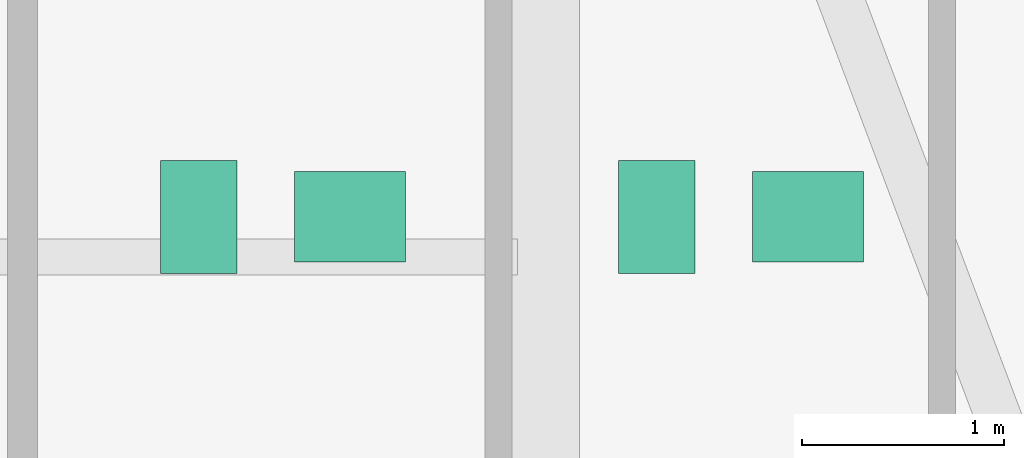
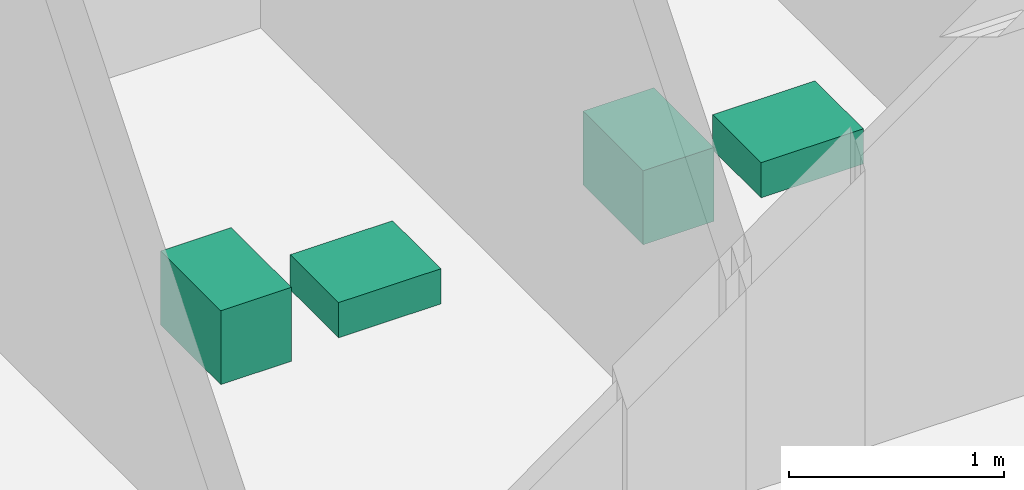
# One storey, part 24 of 24: 4 sanitary terminals.
"""IFC4 building model written with IfcOpenShell, lengths in metres."""

from ifc_helpers import new_model, si_unit, direction, frame, origin, origin_2d, place, context, subcontext, project, spatial, rectangle, extrude, material, type_object, element, save


model = new_model("IFC4")

# Units and contexts
model_context = context("Model", 3, precision=1e-05, world=origin(), true_north=direction((0.0, 1.0)))
body_context = subcontext(model_context, "Body", "Model", "MODEL_VIEW")
ifc_project = project(units=[si_unit("LENGTHUNIT", "METRE"), si_unit("AREAUNIT", "SQUARE_METRE"), si_unit("VOLUMEUNIT", "CUBIC_METRE"), si_unit("PLANEANGLEUNIT", "RADIAN"), si_unit("MASSUNIT", "GRAM", prefix="KILO")], contexts=[model_context])

# Site, building, storey
site_placement = place(None, origin())
site = spatial("IfcSite", under=ifc_project, at=site_placement, CompositionType="ELEMENT")
building_placement = place(site_placement, origin())
building = spatial("IfcBuilding", under=site, at=building_placement, Name="Zuhayl Quay Hotel", CompositionType="ELEMENT")
storey_placement = place(building_placement, frame((0.0, 0.0, 284.050048828125)))
storey = spatial("IfcBuildingStorey", under=building, at=storey_placement, Name="L72", CompositionType="ELEMENT", Elevation=284.050048828125)

# Sanitary terminals
ifc_material = material(Name="Vitreous Porcelain Sanitaryware")
sanitary_terminal_type_1 = type_object("IfcSanitaryTerminalType", Name="SAN_BASIN", PredefinedType="WASHHANDBASIN", material=ifc_material)
for number, where, z_axis, x_axis, name in (
    (1, (12.864990234375, 33.300048828125, 0.0), (0.0, 0.0, 1.0), (1.0, 0.0, 0.0), "L72 Sanitary Fixture WASHHANDBASIN"),
    (2, (15.135009765625, 33.300048828125, 0.0), (0.0, 0.0, 1.0), (1.0, 0.0, 0.0), "L72 Sanitary Fixture WASHHANDBASIN"),
):
    element("IfcSanitaryTerminal", number, at=place(storey_placement, frame(where, z_axis=z_axis, x_axis=x_axis)), inside=storey, type_object=sanitary_terminal_type_1, Name=name, PredefinedType="WASHHANDBASIN", context=body_context, shape_type="SweptSolid", body=[
        extrude(rectangle(XDim=0.550048828125, YDim=0.449951171875, at=origin_2d()), origin(), (0.0, 0.0, 1.0), 0.199951171875),
    ])
sanitary_terminal_type_2 = type_object("IfcSanitaryTerminalType", Name="SAN_WC", PredefinedType="TOILETPAN", material=ifc_material)
for number, where, z_axis, x_axis, name in (
    (3, (12.114990234375, 33.300048828125, 0.0), (0.0, 0.0, 1.0), (1.0, 0.0, 0.0), "L72 Sanitary Fixture TOILETPAN"),
    (4, (14.385009765625, 33.300048828125, 0.0), (0.0, 0.0, 1.0), (1.0, 0.0, 0.0), "L72 Sanitary Fixture TOILETPAN"),
):
    element("IfcSanitaryTerminal", number, at=place(storey_placement, frame(where, z_axis=z_axis, x_axis=x_axis)), inside=storey, type_object=sanitary_terminal_type_2, Name=name, PredefinedType="TOILETPAN", context=body_context, shape_type="SweptSolid", body=[
        extrude(rectangle(XDim=0.3798828125, YDim=0.56005859375, at=origin_2d()), origin(), (0.0, 0.0, 1.0), 0.419921875),
    ])

save(model, "model.ifc")
